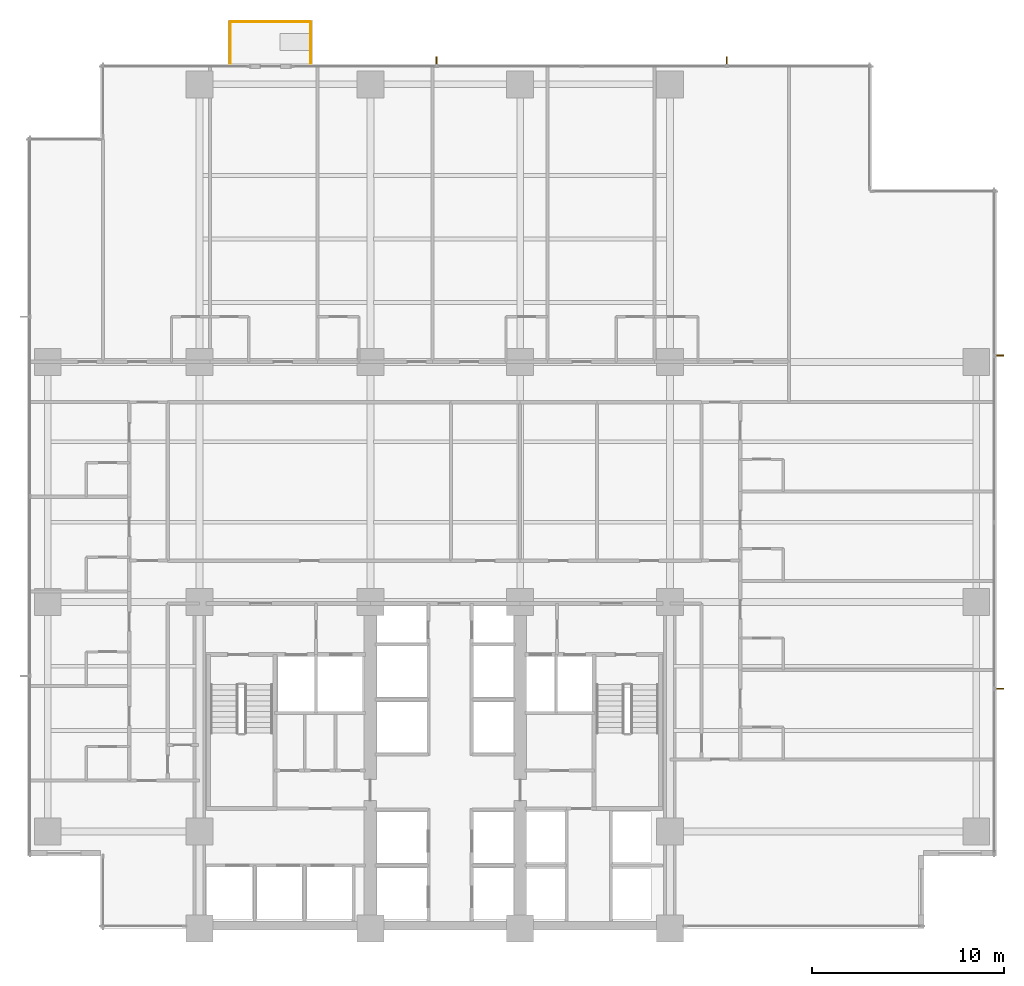
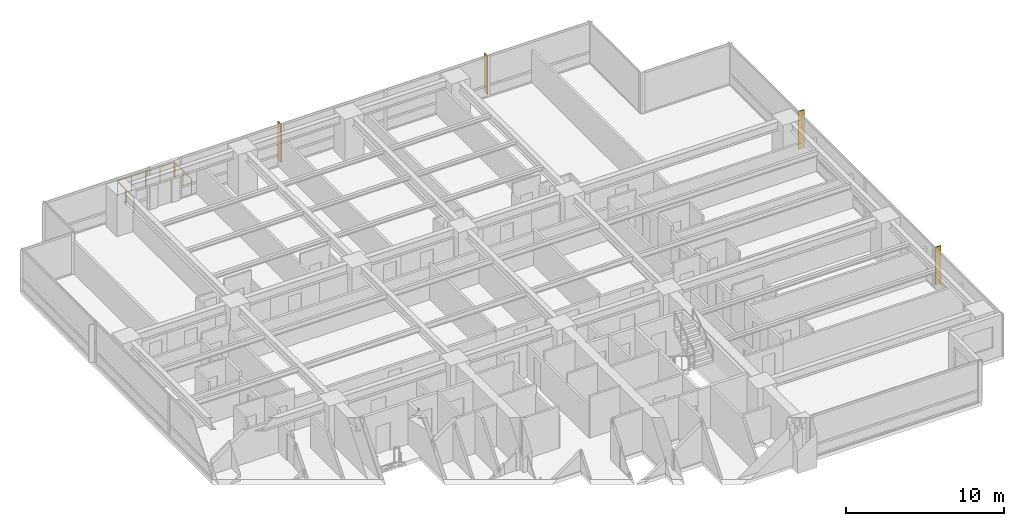
# One storey, part 16 of 16: 4 shading devices, 3 railings.
"""IFC4 building model written with IfcOpenShell, lengths in metres."""

from ifc_helpers import new_model, si_unit, direction, frame, origin, origin_2d, place, context, subcontext, project, spatial, polyline, circle, outline, extrude, material, layer, layer_set, type_object, element, save


model = new_model("IFC4")

# Units and contexts
model_context = context("Model", 3, precision=1e-05, world=origin(), true_north=direction((0.0, 1.0)))
body_context = subcontext(model_context, "Body", "Model", "MODEL_VIEW")
ifc_project = project(units=[si_unit("LENGTHUNIT", "METRE"), si_unit("AREAUNIT", "SQUARE_METRE"), si_unit("VOLUMEUNIT", "CUBIC_METRE"), si_unit("PLANEANGLEUNIT", "RADIAN"), si_unit("MASSUNIT", "GRAM", prefix="KILO")], contexts=[model_context])

# Site, building, storey
site_placement = place(None, origin())
site = spatial("IfcSite", under=ifc_project, at=site_placement, CompositionType="ELEMENT")
building_placement = place(site_placement, origin())
building = spatial("IfcBuilding", under=site, at=building_placement, Name="Qalmaran Belvedere Hotel", CompositionType="ELEMENT")
storey_placement = place(building_placement, frame((0.0, 0.0, 57.89990234375)))
storey = spatial("IfcBuildingStorey", under=building, at=storey_placement, Name="L14", CompositionType="ELEMENT", Elevation=57.89990234375)

# Shading devices
ifc_material = material(Name="Anodised Bronze Aluminium", Category="aluminium")
ifc_layer = layer(ifc_material, 0.06494140625, Name="Anodised Bronze Aluminium")
ifc_layer_set = layer_set([ifc_layer], Name="Anodised Bronze Aluminium")
shading_device_type = type_object("IfcShadingDeviceType", Name="FIN-BRNZ-420", PredefinedType="USERDEFINED", material=ifc_layer_set)
shading_device_1_placement = place(storey_placement, frame((0.0, 0.0, 0.16015625)))
element("IfcShadingDevice", 1, at=shading_device_1_placement, inside=storey, type_object=shading_device_type, Name="L14 Bronze Fin 1", ObjectType="FIN", PredefinedType="USERDEFINED", context=body_context, shape_type="SweptSolid", body=[
    extrude(outline(polyline([(61.7724609375, 15.9423828125), (62.1923828125, 15.9423828125), (62.1923828125, 16.007568359375), (61.7724609375, 16.007568359375), (61.7724609375, 15.9423828125)])), origin(), (0.0, 0.0, 1.0), 2.93994140625),
])
shading_device_2_placement = place(storey_placement, frame((0.0, 0.0, 0.16015625)))
element("IfcShadingDevice", 2, at=shading_device_2_placement, inside=storey, type_object=shading_device_type, Name="L14 Bronze Fin 3", ObjectType="FIN", PredefinedType="USERDEFINED", context=body_context, shape_type="SweptSolid", body=[
    extrude(outline(polyline([(61.7724609375, 33.29248046875), (62.1923828125, 33.29248046875), (62.1923828125, 33.357421875), (61.7724609375, 33.357421875), (61.7724609375, 33.29248046875)])), origin(), (0.0, 0.0, 1.0), 2.93994140625),
])
shading_device_3_placement = place(storey_placement, frame((0.0, 0.0, 0.16015625)))
element("IfcShadingDevice", 3, at=shading_device_3_placement, inside=storey, type_object=shading_device_type, Name="L14 Bronze Fin 1", ObjectType="FIN", PredefinedType="USERDEFINED", context=body_context, shape_type="SweptSolid", body=[
    extrude(outline(polyline([(47.782470703125, 48.472412109375), (47.782470703125, 48.892578125), (47.717529296875, 48.892578125), (47.717529296875, 48.472412109375), (47.782470703125, 48.472412109375)])), origin(), (0.0, 0.0, 1.0), 2.93994140625),
])
shading_device_4_placement = place(storey_placement, frame((0.0, 0.0, 0.16015625)))
element("IfcShadingDevice", 4, at=shading_device_4_placement, inside=storey, type_object=shading_device_type, Name="L14 Bronze Fin 3", ObjectType="FIN", PredefinedType="USERDEFINED", context=body_context, shape_type="SweptSolid", body=[
    extrude(outline(polyline([(32.6826171875, 48.472412109375), (32.6826171875, 48.892578125), (32.617431640625, 48.892578125), (32.617431640625, 48.472412109375), (32.6826171875, 48.472412109375)])), origin(), (0.0, 0.0, 1.0), 2.93994140625),
])

# Railings
railing_type = type_object("IfcRailingType", Name="GRD-BAL-1150", PredefinedType="BALUSTRADE", material=ifc_material)
railing_1_placement = place(storey_placement, frame((21.89990234375, 48.534912109375, 0.0)))
element("IfcRailing", 5, at=railing_1_placement, inside=storey, type_object=railing_type, Name="L14 Guardrail BAL-L14-N-1", PredefinedType="BALUSTRADE", context=body_context, shape_type="SweptSolid", body=[
    extrude(circle(Radius=0.02392578125, at=origin_2d()), frame((0.0, 0.0, 1.1259765625), z_axis=(0.0, 1.0, 0.0), x_axis=(-1.0, 0.0, 0.0)), (0.0, 0.0, 1.0), 2.130126953125),
    extrude(circle(Radius=0.02099609375, at=origin_2d()), origin(), (0.0, 0.0, 1.0), 1.101806640625),
    extrude(circle(Radius=0.02099609375, at=origin_2d()), frame((0.0, 1.06494140625, 0.0)), (0.0, 0.0, 1.0), 1.101806640625),
    extrude(circle(Radius=0.02099609375, at=origin_2d()), frame((0.0, 2.130126953125, 0.0)), (0.0, 0.0, 1.0), 1.101806640625),
])
railing_2_placement = place(storey_placement, frame((21.93505859375, 50.699951171875, 0.0)))
element("IfcRailing", 6, at=railing_2_placement, inside=storey, type_object=railing_type, Name="L14 Guardrail BAL-L14-N-2", PredefinedType="BALUSTRADE", context=body_context, shape_type="SweptSolid", body=[
    extrude(circle(Radius=0.02392578125, at=origin_2d()), frame((0.0, 0.0, 1.1259765625), z_axis=(1.0, 0.0, 0.0), x_axis=(0.0, 1.0, 0.0)), (0.0, 0.0, 1.0), 4.1298828125),
    extrude(circle(Radius=0.02099609375, at=origin_2d()), origin(), (0.0, 0.0, 1.0), 1.101806640625),
    extrude(circle(Radius=0.02099609375, at=origin_2d()), frame((1.032470703125, 0.0, 0.0)), (0.0, 0.0, 1.0), 1.101806640625),
    extrude(circle(Radius=0.02099609375, at=origin_2d()), frame((2.06494140625, 0.0, 0.0)), (0.0, 0.0, 1.0), 1.101806640625),
    extrude(circle(Radius=0.02099609375, at=origin_2d()), frame((3.097412109375, 0.0, 0.0)), (0.0, 0.0, 1.0), 1.101806640625),
    extrude(circle(Radius=0.02099609375, at=origin_2d()), frame((4.1298828125, 0.0, 0.0)), (0.0, 0.0, 1.0), 1.101806640625),
])
railing_3_placement = place(storey_placement, frame((26.10009765625, 50.6650390625, 0.0)))
element("IfcRailing", 7, at=railing_3_placement, inside=storey, type_object=railing_type, Name="L14 Guardrail BAL-L14-N-3", PredefinedType="BALUSTRADE", context=body_context, shape_type="SweptSolid", body=[
    extrude(circle(Radius=0.02392578125, at=origin_2d()), frame((0.0, 0.0, 1.1259765625), z_axis=(0.0, -1.0, 0.0), x_axis=(1.0, 0.0, 0.0)), (0.0, 0.0, 1.0), 2.130126953125),
    extrude(circle(Radius=0.02099609375, at=origin_2d()), origin(), (0.0, 0.0, 1.0), 1.101806640625),
    extrude(circle(Radius=0.02099609375, at=origin_2d()), frame((0.0, -1.06494140625, 0.0)), (0.0, 0.0, 1.0), 1.101806640625),
    extrude(circle(Radius=0.02099609375, at=origin_2d()), frame((0.0, -2.130126953125, 0.0)), (0.0, 0.0, 1.0), 1.101806640625),
])

save(model, "model.ifc")
